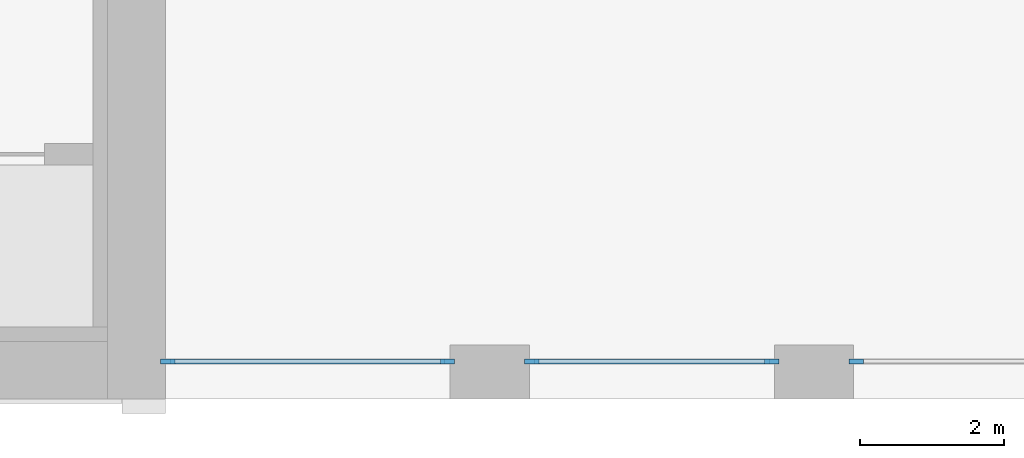
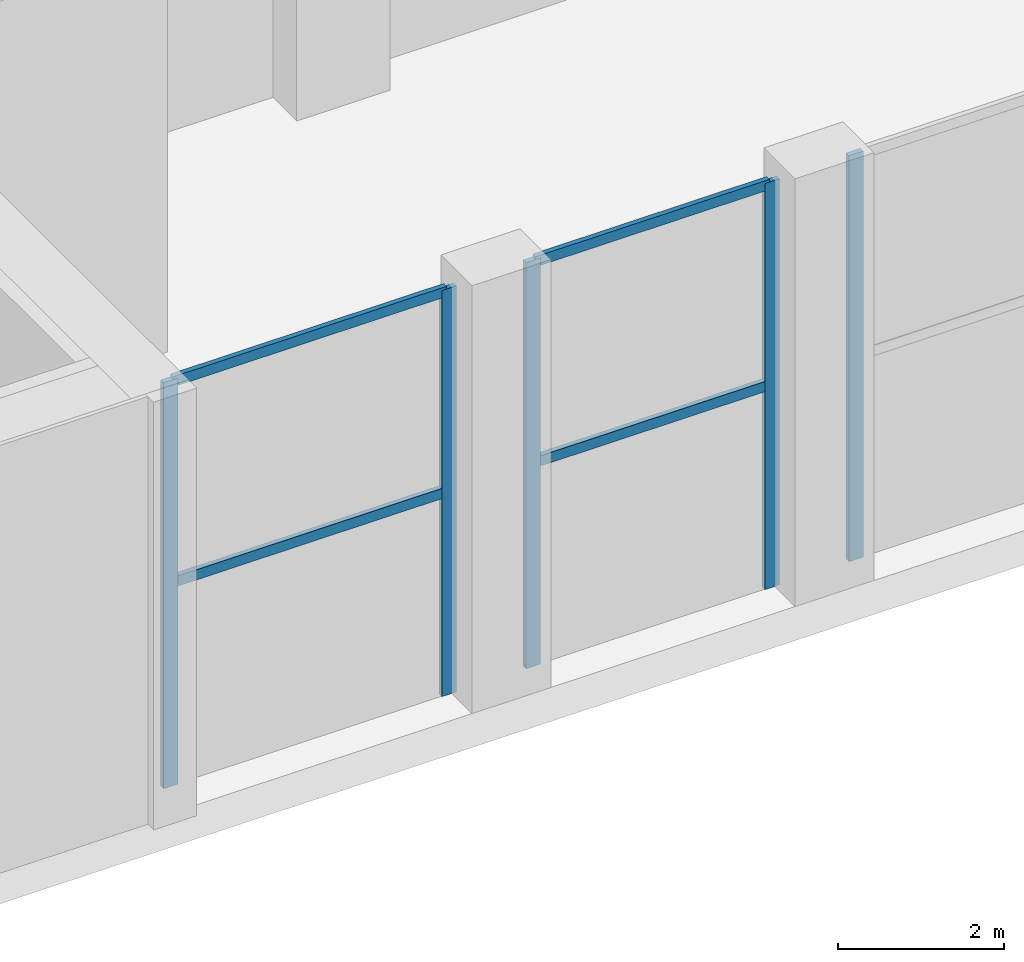
# One storey, part 4 of 21: 9 members, 3 elements without a shape of their own.
"""IFC4 building model written with IfcOpenShell, lengths in metres."""

from ifc_helpers import new_model, si_unit, direction, frame, origin, origin_2d, place, context, subcontext, project, spatial, rectangle, extrude, material, layer, layer_set, material_profile, profile_set, type_object, element, aggregate, save


model = new_model("IFC4")

# Units and contexts
model_context = context("Model", 3, precision=1e-05, world=origin(), true_north=direction((0.0, 1.0)))
body_context = subcontext(model_context, "Body", "Model", "MODEL_VIEW")
ifc_project = project(units=[si_unit("LENGTHUNIT", "METRE"), si_unit("AREAUNIT", "SQUARE_METRE"), si_unit("VOLUMEUNIT", "CUBIC_METRE"), si_unit("PLANEANGLEUNIT", "RADIAN"), si_unit("MASSUNIT", "GRAM", prefix="KILO")], contexts=[model_context])

# Site, building, storey
site_placement = place(None, origin())
site = spatial("IfcSite", under=ifc_project, at=site_placement, CompositionType="ELEMENT")
building_placement = place(site_placement, origin())
building = spatial("IfcBuilding", under=site, at=building_placement, Name="Brigalow Station Residences", CompositionType="ELEMENT")
storey_placement = place(building_placement, frame((0.0, 0.0, 77.25)))
storey = spatial("IfcBuildingStorey", under=building, at=storey_placement, Name="L22", CompositionType="ELEMENT", Elevation=77.25)

# Curtain wall, members
ifc_material_1 = material(Name="Aluminium", Category="aluminium")
ifc_layer = layer(ifc_material_1, 0.199951171875)
ifc_layer_set = layer_set([ifc_layer], Name="SKY FLOOR GLAZING CURTAIN WALL")
curtain_wall_type = type_object("IfcCurtainWallType", Name="SKY FLOOR GLAZING CURTAIN WALL", PredefinedType="NOTDEFINED", material=ifc_layer_set)
curtain_wall_1_placement = place(storey_placement, origin())
curtain_wall_1 = element("IfcCurtainWall", 1, at=curtain_wall_1_placement, inside=storey, type_object=curtain_wall_type, Name="L22/cw/W-L22-4", PredefinedType="NOTDEFINED")
ifc_material_2 = material(Name="Aluminium", Category="aluminium")
ifc_material_profile_1 = material_profile(ifc_material_2, rectangle(XDim=0.070068359375, YDim=0.199951171875, at=origin_2d()), Name="SKY FLOOR GLAZING MULLION 70x200")
ifc_profile_set_1 = profile_set([ifc_material_profile_1], Name="Aluminium")
member_type_1 = type_object("IfcMemberType", Name="SKY FLOOR GLAZING MULLION 70x200", PredefinedType="MULLION", material=ifc_profile_set_1)
member_1_placement = place(storey_placement, frame((54.034912109375, 0.52490234375, 0.0), z_axis=(0.0, 0.0, 1.0), x_axis=(0.0, 1.0, 0.0)))
member_1 = element("IfcMember", 2, at=member_1_placement, type_object=member_type_1, Name="L22/cw/W-L22-4/M00", PredefinedType="MULLION", context=body_context, shape_type="SweptSolid", body=[
    extrude(rectangle(XDim=0.070068359375, YDim=0.199951171875, at=origin_2d()), origin(), (0.0, 0.0, 1.0), 5.97998046875),
])
member_2_placement = place(storey_placement, frame((57.9150390625, 0.52490234375, 0.0), z_axis=(0.0, 0.0, 1.0), x_axis=(0.0, 1.0, 0.0)))
member_2 = element("IfcMember", 3, at=member_2_placement, type_object=member_type_1, Name="L22/cw/W-L22-4/M01", PredefinedType="MULLION", context=body_context, shape_type="SweptSolid", body=[
    extrude(rectangle(XDim=0.070068359375, YDim=0.199951171875, at=origin_2d()), origin(), (0.0, 0.0, 1.0), 5.97998046875),
])

curtain_wall_2_placement = place(storey_placement, origin())
curtain_wall_2 = element("IfcCurtainWall", 4, at=curtain_wall_2_placement, inside=storey, type_object=curtain_wall_type, Name="L22/cw/W-L22-5", PredefinedType="NOTDEFINED")
member_3_placement = place(storey_placement, frame((59.0849609375, 0.52490234375, 0.0), z_axis=(0.0, 0.0, 1.0), x_axis=(0.0, 1.0, 0.0)))
member_3 = element("IfcMember", 5, at=member_3_placement, type_object=member_type_1, Name="L22/cw/W-L22-5/M00", PredefinedType="MULLION", context=body_context, shape_type="SweptSolid", body=[
    extrude(rectangle(XDim=0.070068359375, YDim=0.199951171875, at=origin_2d()), origin(), (0.0, 0.0, 1.0), 5.97998046875),
])
member_4_placement = place(storey_placement, frame((62.4150390625, 0.52490234375, 0.0), z_axis=(0.0, 0.0, 1.0), x_axis=(0.0, 1.0, 0.0)))
member_4 = element("IfcMember", 6, at=member_4_placement, type_object=member_type_1, Name="L22/cw/W-L22-5/M01", PredefinedType="MULLION", context=body_context, shape_type="SweptSolid", body=[
    extrude(rectangle(XDim=0.070068359375, YDim=0.199951171875, at=origin_2d()), origin(), (0.0, 0.0, 1.0), 5.97998046875),
])

# Curtain wall, member
curtain_wall_3_placement = place(storey_placement, origin())
curtain_wall_3 = element("IfcCurtainWall", 7, at=curtain_wall_3_placement, inside=storey, type_object=curtain_wall_type, Name="L22/cw/W-L22-6", PredefinedType="NOTDEFINED")
member_5_placement = place(storey_placement, frame((63.5849609375, 0.52490234375, 0.0), z_axis=(0.0, 0.0, 1.0), x_axis=(0.0, 1.0, 0.0)))
member_5 = element("IfcMember", 8, at=member_5_placement, type_object=member_type_1, Name="L22/cw/W-L22-6/M00", PredefinedType="MULLION", context=body_context, shape_type="SweptSolid", body=[
    extrude(rectangle(XDim=0.070068359375, YDim=0.199951171875, at=origin_2d()), origin(), (0.0, 0.0, 1.0), 5.97998046875),
])
aggregate(curtain_wall_3, [member_5])

# Member
ifc_material_3 = material(Name="Aluminium", Category="aluminium")
ifc_material_profile_2 = material_profile(ifc_material_3, rectangle(XDim=0.070068359375, YDim=0.14990234375, at=origin_2d()), Name="SKY FLOOR GLAZING TRANSOM 70x150")
ifc_profile_set_2 = profile_set([ifc_material_profile_2], Name="Aluminium")
member_type_2 = type_object("IfcMemberType", Name="SKY FLOOR GLAZING TRANSOM 70x150", PredefinedType="USERDEFINED", material=ifc_profile_set_2)
member_6_placement = place(storey_placement, frame((54.070068359375, 0.52490234375, 2.989990234375), z_axis=(1.0, 0.0, 0.0), x_axis=(0.0, 1.0, 0.0)))
member_6 = element("IfcMember", 9, at=member_6_placement, type_object=member_type_2, Name="L22/cw/W-L22-4/T00-00", ObjectType="TRANSOM", PredefinedType="USERDEFINED", context=body_context, shape_type="SweptSolid", body=[
    extrude(rectangle(XDim=0.070068359375, YDim=0.14990234375, at=origin_2d()), origin(), (0.0, 0.0, 1.0), 3.809814453125),
])

member_7_placement = place(storey_placement, frame((54.070068359375, 0.52490234375, 5.945068359375), z_axis=(1.0, 0.0, 0.0), x_axis=(0.0, 1.0, 0.0)))
member_7 = element("IfcMember", 10, at=member_7_placement, type_object=member_type_2, Name="L22/cw/W-L22-4/T00-01", ObjectType="TRANSOM", PredefinedType="USERDEFINED", context=body_context, shape_type="SweptSolid", body=[
    extrude(rectangle(XDim=0.070068359375, YDim=0.14990234375, at=origin_2d()), origin(), (0.0, 0.0, 1.0), 3.809814453125),
])

aggregate(curtain_wall_1, [member_1, member_2, member_6, member_7])

member_8_placement = place(storey_placement, frame((59.1201171875, 0.52490234375, 2.989990234375), z_axis=(1.0, 0.0, 0.0), x_axis=(0.0, 1.0, 0.0)))
member_8 = element("IfcMember", 11, at=member_8_placement, type_object=member_type_2, Name="L22/cw/W-L22-5/T00-00", ObjectType="TRANSOM", PredefinedType="USERDEFINED", context=body_context, shape_type="SweptSolid", body=[
    extrude(rectangle(XDim=0.070068359375, YDim=0.14990234375, at=origin_2d()), origin(), (0.0, 0.0, 1.0), 3.259765625),
])

member_9_placement = place(storey_placement, frame((59.1201171875, 0.52490234375, 5.945068359375), z_axis=(1.0, 0.0, 0.0), x_axis=(0.0, 1.0, 0.0)))
member_9 = element("IfcMember", 12, at=member_9_placement, type_object=member_type_2, Name="L22/cw/W-L22-5/T00-01", ObjectType="TRANSOM", PredefinedType="USERDEFINED", context=body_context, shape_type="SweptSolid", body=[
    extrude(rectangle(XDim=0.070068359375, YDim=0.14990234375, at=origin_2d()), origin(), (0.0, 0.0, 1.0), 3.259765625),
])

aggregate(curtain_wall_2, [member_3, member_4, member_8, member_9])

save(model, "model.ifc")
